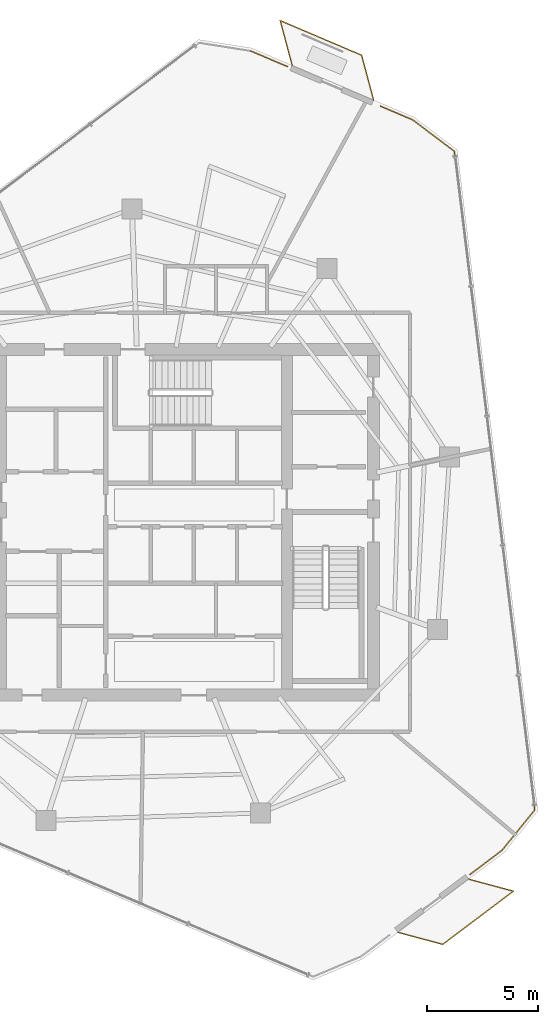
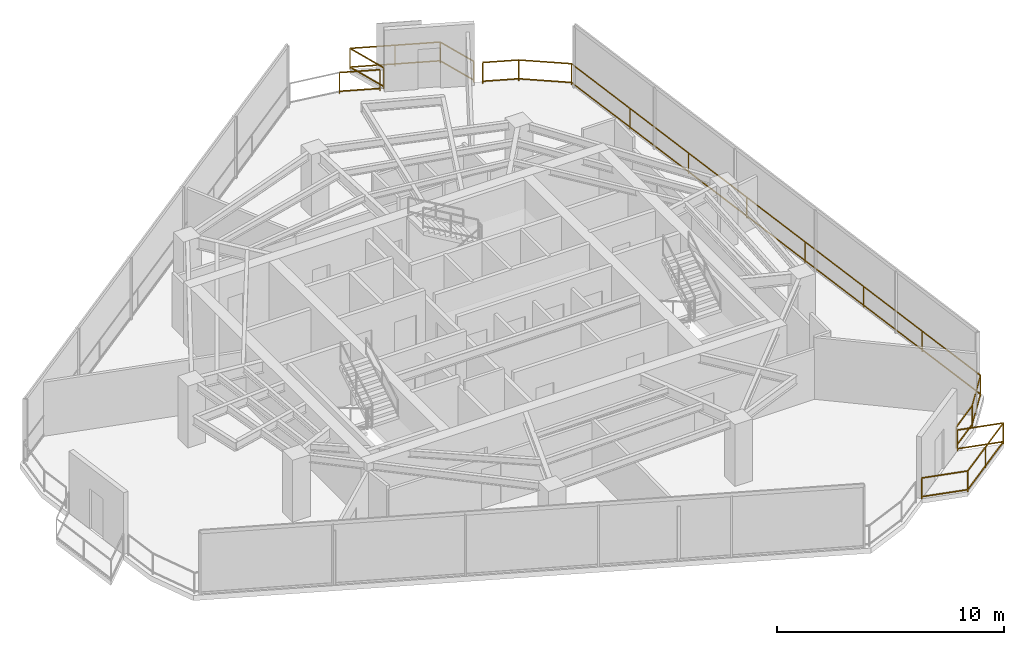
# One storey, part 18 of 18: 4 railings.
"""IFC4 building model written with IfcOpenShell, lengths in metres."""

import ifcopenshell
import ifcopenshell.guid

model = None  # the IFC model being written
_history = None  # IfcOwnerHistory: only IFC2X3 demands one
_inside = {}  # id of a spatial element -> (the spatial element, [elements in it])
_under = {}  # id of a project, library or spatial element -> (it, [spatial elements below it])
_declared = {}  # id of a project -> (the project, [libraries it declares])
_typed = {}  # id of a type object -> (the type object, [elements of that type])
_made_of = {}  # id of a material, layer set ... -> (it, [elements and type objects made of it])


def new_model(schema):
    """Start an empty IFC model of exactly this schema.

    Asked for "IFC4X3", IfcOpenShell would pick the latest addendum, in which some entities
    have other attributes; the version numbers below select the first issue.
    IFC2X3 requires an IfcOwnerHistory on every rooted entity: one is made here for all.
    """
    global model, _history
    if schema == "IFC4X3":
        model = ifcopenshell.file(schema_version=(4, 3, 0, 0))
    else:
        model = ifcopenshell.file(schema=schema)
    _inside.clear()
    _under.clear()
    _declared.clear()
    _typed.clear()
    _made_of.clear()
    _history = None
    if model.schema == "IFC2X3":
        org = make("IfcOrganization", Name="unknown")
        user = make(
            "IfcPersonAndOrganization",
            ThePerson=make("IfcPerson", FamilyName="unknown"),
            TheOrganization=org,
        )
        app = make(
            "IfcApplication",
            ApplicationDeveloper=org,
            Version="unknown",
            ApplicationFullName="unknown",
            ApplicationIdentifier="unknown",
        )
        _history = make(
            "IfcOwnerHistory",
            OwningUser=user,
            OwningApplication=app,
            ChangeAction="ADDED",
            CreationDate=0,
        )
    return model


def make(cls, **values):
    """One entity of the class cls with the attributes given. An attribute that is None is left unset."""
    return model.create_entity(
        cls, **{name: value for name, value in values.items() if value is not None}
    )


def rooted(cls, **values):
    """An entity with a GlobalId (a new one), such as an element, a storey or a relation."""
    return make(cls, GlobalId=ifcopenshell.guid.new(), OwnerHistory=_history, **values)


def si_unit(unit_type, name, prefix=None):
    """IfcSIUnit, for example si_unit("LENGTHUNIT", "METRE", prefix="MILLI")."""
    return make("IfcSIUnit", UnitType=unit_type, Prefix=prefix, Name=name)


def assignment(units):
    """IfcUnitAssignment: the units of a project."""
    return None if units is None else make("IfcUnitAssignment", Units=units)


def point(xyz):
    """IfcCartesianPoint."""
    return None if xyz is None else make("IfcCartesianPoint", Coordinates=xyz)


def direction(xyz):
    """IfcDirection."""
    return None if xyz is None else make("IfcDirection", DirectionRatios=xyz)


def frame(location, z_axis=None, x_axis=None):
    """IfcAxis2Placement3D, a coordinate frame: its origin and axes. An axis left out is left unset."""
    return make(
        "IfcAxis2Placement3D",
        Location=point(location),
        Axis=direction(z_axis),
        RefDirection=direction(x_axis),
    )


def frame_2d(location, x_axis=None):
    """IfcAxis2Placement2D, a coordinate frame in the plane: its origin and x axis."""
    return make(
        "IfcAxis2Placement2D", Location=point(location), RefDirection=direction(x_axis)
    )


def origin():
    """The frame at (0, 0, 0) with its axes left unset."""
    return frame((0.0, 0.0, 0.0))


def origin_2d():
    """The frame at (0, 0) in the plane with its x axis left unset."""
    return frame_2d((0.0, 0.0))


def place(relative_to, where):
    """IfcLocalPlacement: puts the frame where relative to a parent placement (None: the world)."""
    return make(
        "IfcLocalPlacement", PlacementRelTo=relative_to, RelativePlacement=where
    )


def context(
    kind, dimensions, precision=None, world=None, true_north=None, identifier=None
):
    """IfcGeometricRepresentationContext, for example the 3D "Model" context."""
    return make(
        "IfcGeometricRepresentationContext",
        ContextIdentifier=identifier,
        ContextType=kind,
        CoordinateSpaceDimension=dimensions,
        Precision=precision,
        WorldCoordinateSystem=world,
        TrueNorth=true_north,
    )


def subcontext(parent, identifier, kind, view, scale=None):
    """IfcGeometricRepresentationSubContext, for example "Body" below "Model"."""
    return make(
        "IfcGeometricRepresentationSubContext",
        ContextIdentifier=identifier,
        ContextType=kind,
        ParentContext=parent,
        TargetScale=scale,
        TargetView=view,
    )


def project(units=None, contexts=None):
    """IfcProject with its units and contexts."""
    return rooted(
        "IfcProject",
        Name="project",
        RepresentationContexts=contexts,
        UnitsInContext=assignment(units),
    )


def spatial(cls, under=None, at=None, **own):
    """A site, building, storey or space (cls), placed at a placement, below another one or the project."""
    s = rooted(cls, ObjectPlacement=at, **own)
    if under is not None:
        _under.setdefault(under.id(), (under, []))[1].append(s)
    return s


def profile(cls, at=None, kind="AREA", **sizes):
    """A parametric profile (cls). Its sizes go by their IFC names, for example OverallWidth=200.0."""
    return make(cls, ProfileType=kind, Position=at, **sizes)


def rectangle(**sizes):
    """IfcRectangleProfileDef."""
    return profile("IfcRectangleProfileDef", **sizes)


def extrude(swept, where, along, depth):
    """IfcExtrudedAreaSolid: the profile swept, set in the frame where, extruded along a direction by depth."""
    return make(
        "IfcExtrudedAreaSolid",
        SweptArea=swept,
        Position=where,
        ExtrudedDirection=direction(along),
        Depth=depth,
    )


def shape(context_of_items, identifier, shape_type, items):
    """IfcShapeRepresentation: the items that make up one representation, for example the "Body"."""
    return make(
        "IfcShapeRepresentation",
        ContextOfItems=context_of_items,
        RepresentationIdentifier=identifier,
        RepresentationType=shape_type,
        Items=items,
    )


def material(Name=None, Category=None):
    """IfcMaterial."""
    return make("IfcMaterial", Name=Name, Category=Category)


def made_of(thing, what):
    """Note that an element or type object is made of a material, layer set ...; save() writes the relation."""
    if what is not None:
        _made_of.setdefault(what.id(), (what, []))[1].append(thing)
    return thing


def type_object(cls, material=None, **own):
    """A type object (cls), such as IfcWallType, which elements share."""
    return made_of(rooted(cls, **own), material)


def element(
    cls,
    number,
    at=None,
    inside=None,
    cuts=None,
    type_object=None,
    material=None,
    context=None,
    identifier="Body",
    shape_type=None,
    held_by="IfcProductDefinitionShape",
    body=None,
    shapes=None,
    **own,
):
    """One element of the class cls, such as IfcWall. Its Tag is "e" and its number.

    at: its placement. inside: the storey or other place that contains it. cuts: it is an
    opening in that element (IfcRelVoidsElement). A single representation is given by context,
    identifier, shape_type and body (its items); several are given by shapes. held_by: the class
    of the entity that holds the representations. save() writes the other relations.
    """
    e = rooted(cls, Tag="e%d" % number, ObjectPlacement=at, **own)
    if body is not None:
        shapes = [shape(context, identifier, shape_type, body)]
    if shapes is not None:
        e.Representation = make(held_by, Representations=shapes)
    if inside is not None:
        _inside.setdefault(inside.id(), (inside, []))[1].append(e)
    if cuts is not None:
        rooted(
            "IfcRelVoidsElement", RelatingBuildingElement=cuts, RelatedOpeningElement=e
        )
    if type_object is not None:
        _typed.setdefault(type_object.id(), (type_object, []))[1].append(e)
    return made_of(e, material)


def aggregate(whole, parts):
    """IfcRelAggregates: a whole, such as a stair, and the parts it consists of."""
    return rooted("IfcRelAggregates", RelatingObject=whole, RelatedObjects=parts)


def save(model, path):
    """Write the relations noted so far, then the file.

    IfcRelAggregates (storeys below a building ...), IfcRelContainedInSpatialStructure (elements
    in a storey), IfcRelDefinesByType, IfcRelAssociatesMaterial and IfcRelDeclares: one each for
    every whole, place, type object, material and project.
    """
    for whole, parts in _under.values():
        aggregate(whole, parts)
    for where, things in _inside.values():
        rooted(
            "IfcRelContainedInSpatialStructure",
            RelatedElements=things,
            RelatingStructure=where,
        )
    for kind, things in _typed.values():
        rooted("IfcRelDefinesByType", RelatedObjects=things, RelatingType=kind)
    for what, things in _made_of.values():
        rooted("IfcRelAssociatesMaterial", RelatedObjects=things, RelatingMaterial=what)
    for by, libraries in _declared.values():
        rooted("IfcRelDeclares", RelatingContext=by, RelatedDefinitions=libraries)
    model.write(path)


model = new_model("IFC4")

# Units and contexts
model_context = context("Model", 3, precision=1e-05, world=origin(), true_north=direction((0.0, 1.0)))
body_context = subcontext(model_context, "Body", "Model", "MODEL_VIEW")
ifc_project = project(units=[si_unit("LENGTHUNIT", "METRE"), si_unit("AREAUNIT", "SQUARE_METRE"), si_unit("VOLUMEUNIT", "CUBIC_METRE"), si_unit("PLANEANGLEUNIT", "RADIAN"), si_unit("MASSUNIT", "GRAM", prefix="KILO")], contexts=[model_context])

# Site, building, storey
site_placement = place(None, origin())
site = spatial("IfcSite", under=ifc_project, at=site_placement, CompositionType="ELEMENT")
building_placement = place(site_placement, origin())
building = spatial("IfcBuilding", under=site, at=building_placement, Name="Qarnah Convention Tower", CompositionType="ELEMENT")
storey_placement = place(building_placement, frame((0.0, 0.0, 205.800048828125)))
storey = spatial("IfcBuildingStorey", under=building, at=storey_placement, Name="L55", CompositionType="ELEMENT", Elevation=205.800048828125)

# Railings
ifc_material = material(Name="Black anodised aluminium", Category="aluminium")
railing_type = type_object("IfcRailingType", Name="RL-EXT-GUARD-1150", PredefinedType="GUARDRAIL", material=ifc_material)
railing_1_placement = place(storey_placement, frame((42.06201171875, 47.66796875, 0.0)))
element("IfcRailing", 1, at=railing_1_placement, inside=storey, type_object=railing_type, Name="L55 slab-edge perimeter safety guard 01", PredefinedType="GUARDRAIL", context=body_context, shape_type="SweptSolid", body=[
    extrude(rectangle(XDim=0.048095703125, YDim=0.048095703125, at=origin_2d()), frame((0.0, 0.0, 1.1259765625), z_axis=(0.92024187042, -0.391350098921, 0.0), x_axis=(0.391350098921, 0.92024187042, 0.0)), (0.0, 0.0, 1.0), 1.8017578125),
    extrude(rectangle(XDim=0.048095703125, YDim=0.048095703125, at=origin_2d()), frame((0.0, 0.0, 0.1201171875), z_axis=(0.92024187042, -0.391350098921, 0.0), x_axis=(0.391350098921, 0.92024187042, 0.0)), (0.0, 0.0, 1.0), 1.8017578125),
    extrude(rectangle(XDim=0.0419921875, YDim=0.0419921875, at=origin_2d()), origin(), (0.0, 0.0, 1.0), 1.101806640625),
    extrude(rectangle(XDim=0.0419921875, YDim=0.0419921875, at=origin_2d()), frame((1.657958984375, -0.705078125, 0.0)), (0.0, 0.0, 1.0), 1.101806640625),
])
railing_2_placement = place(storey_placement, frame((47.9150390625, 45.178955078125, 0.0)))
element("IfcRailing", 2, at=railing_2_placement, inside=storey, type_object=railing_type, Name="L55 slab-edge perimeter safety guard 02", PredefinedType="GUARDRAIL", context=body_context, shape_type="SweptSolid", body=[
    extrude(rectangle(XDim=0.048095703125, YDim=0.048095703125, at=origin_2d()), frame((0.0, 0.0, 1.1259765625), z_axis=(0.920126400497, -0.391621510018, 0.0), x_axis=(0.391621510018, 0.920126400497, 0.0)), (0.0, 0.0, 1.0), 1.5908203125),
    extrude(rectangle(XDim=0.048095703125, YDim=0.048095703125, at=origin_2d()), frame((0.0, 0.0, 0.1201171875), z_axis=(0.920126400497, -0.391621510018, 0.0), x_axis=(0.391621510018, 0.920126400497, 0.0)), (0.0, 0.0, 1.0), 1.5908203125),
    extrude(rectangle(XDim=0.048095703125, YDim=0.048095703125, at=origin_2d()), frame((1.4638671875, -0.623046875, 1.1259765625), z_axis=(0.798099529622, -0.602525634987, 0.0), x_axis=(0.602525634987, 0.798099529622, 0.0)), (0.0, 0.0, 1.0), 2.34814453125),
    extrude(rectangle(XDim=0.048095703125, YDim=0.048095703125, at=origin_2d()), frame((1.4638671875, -0.623046875, 0.1201171875), z_axis=(0.798099529622, -0.602525634987, 0.0), x_axis=(0.602525634987, 0.798099529622, 0.0)), (0.0, 0.0, 1.0), 2.34814453125),
    extrude(rectangle(XDim=0.048095703125, YDim=0.048095703125, at=origin_2d()), frame((3.337890625, -2.037841796875, 1.1259765625), z_axis=(0.121214832232, -0.992626296472, 0.0), x_axis=(0.992626296472, 0.121214832232, 0.0)), (0.0, 0.0, 1.0), 29.947998046875),
    extrude(rectangle(XDim=0.048095703125, YDim=0.048095703125, at=origin_2d()), frame((3.337890625, -2.037841796875, 0.1201171875), z_axis=(0.121214832232, -0.992626296472, 0.0), x_axis=(0.992626296472, 0.121214832232, 0.0)), (0.0, 0.0, 1.0), 29.947998046875),
    extrude(rectangle(XDim=0.048095703125, YDim=0.048095703125, at=origin_2d()), frame((6.968017578125, -31.764892578125, 1.1259765625), z_axis=(-0.630032573441, -0.776568706815, 0.0), x_axis=(0.776568706815, -0.630032573441, 0.0)), (0.0, 0.0, 1.0), 2.347412109375),
    extrude(rectangle(XDim=0.048095703125, YDim=0.048095703125, at=origin_2d()), frame((6.968017578125, -31.764892578125, 0.1201171875), z_axis=(-0.630032573441, -0.776568706815, 0.0), x_axis=(0.776568706815, -0.630032573441, 0.0)), (0.0, 0.0, 1.0), 2.347412109375),
    extrude(rectangle(XDim=0.048095703125, YDim=0.048095703125, at=origin_2d()), frame((5.489013671875, -33.587890625, 1.1259765625), z_axis=(-0.798910552808, -0.601449855443, 0.0), x_axis=(0.601449855443, -0.798910552808, 0.0)), (0.0, 0.0, 1.0), 1.803955078125),
    extrude(rectangle(XDim=0.048095703125, YDim=0.048095703125, at=origin_2d()), frame((5.489013671875, -33.587890625, 0.1201171875), z_axis=(-0.798910552808, -0.601449855443, 0.0), x_axis=(0.601449855443, -0.798910552808, 0.0)), (0.0, 0.0, 1.0), 1.803955078125),
    extrude(rectangle(XDim=0.0419921875, YDim=0.0419921875, at=origin_2d()), origin(), (0.0, 0.0, 1.0), 1.101806640625),
    extrude(rectangle(XDim=0.0419921875, YDim=0.0419921875, at=origin_2d()), frame((1.4638671875, -0.623046875, 0.0)), (0.0, 0.0, 1.0), 1.101806640625),
    extrude(rectangle(XDim=0.0419921875, YDim=0.0419921875, at=origin_2d()), frame((3.337890625, -2.037841796875, 0.0)), (0.0, 0.0, 1.0), 1.101806640625),
    extrude(rectangle(XDim=0.0419921875, YDim=0.0419921875, at=origin_2d()), frame((3.8564453125, -6.28466796875, 0.0)), (0.0, 0.0, 1.0), 1.101806640625),
    extrude(rectangle(XDim=0.0419921875, YDim=0.0419921875, at=origin_2d()), frame((4.375, -10.53125, 0.0)), (0.0, 0.0, 1.0), 1.101806640625),
    extrude(rectangle(XDim=0.0419921875, YDim=0.0419921875, at=origin_2d()), frame((4.8935546875, -14.778076171875, 0.0)), (0.0, 0.0, 1.0), 1.101806640625),
    extrude(rectangle(XDim=0.0419921875, YDim=0.0419921875, at=origin_2d()), frame((5.412353515625, -19.024658203125, 0.0)), (0.0, 0.0, 1.0), 1.101806640625),
    extrude(rectangle(XDim=0.0419921875, YDim=0.0419921875, at=origin_2d()), frame((5.930908203125, -23.271484375, 0.0)), (0.0, 0.0, 1.0), 1.101806640625),
    extrude(rectangle(XDim=0.0419921875, YDim=0.0419921875, at=origin_2d()), frame((6.449462890625, -27.51806640625, 0.0)), (0.0, 0.0, 1.0), 1.101806640625),
    extrude(rectangle(XDim=0.0419921875, YDim=0.0419921875, at=origin_2d()), frame((6.968017578125, -31.764892578125, 0.0)), (0.0, 0.0, 1.0), 1.101806640625),
    extrude(rectangle(XDim=0.0419921875, YDim=0.0419921875, at=origin_2d()), frame((5.489013671875, -33.587890625, 0.0)), (0.0, 0.0, 1.0), 1.101806640625),
    extrude(rectangle(XDim=0.0419921875, YDim=0.0419921875, at=origin_2d()), frame((4.0478515625, -34.6728515625, 0.0)), (0.0, 0.0, 1.0), 1.101806640625),
])
railing_3_placement = place(storey_placement, frame((43.93310546875, 47.01904296875, 0.0)))
element("IfcRailing", 3, at=railing_3_placement, inside=storey, type_object=railing_type, Name="L55 balcony safety guard BAL-L55-C1", PredefinedType="GUARDRAIL", context=body_context, shape_type="SweptSolid", body=[
    extrude(rectangle(XDim=0.048095703125, YDim=0.048095703125, at=origin_2d()), frame((0.0, 0.0, 1.1259765625), z_axis=(-0.258359209532, 0.966048921561, 0.0), x_axis=(-0.966048921561, -0.258359209532, 0.0)), (0.0, 0.0, 1.0), 2.093994140625),
    extrude(rectangle(XDim=0.048095703125, YDim=0.048095703125, at=origin_2d()), frame((0.0, 0.0, 0.1201171875), z_axis=(-0.258359209532, 0.966048921561, 0.0), x_axis=(-0.966048921561, -0.258359209532, 0.0)), (0.0, 0.0, 1.0), 2.093994140625),
    extrude(rectangle(XDim=0.048095703125, YDim=0.048095703125, at=origin_2d()), frame((-0.541015625, 2.02294921875, 1.1259765625), z_axis=(0.920192996084, -0.391465004768, 0.0), x_axis=(0.391465004768, 0.920192996084, 0.0)), (0.0, 0.0, 1.0), 4.000244140625),
    extrude(rectangle(XDim=0.048095703125, YDim=0.048095703125, at=origin_2d()), frame((-0.541015625, 2.02294921875, 0.1201171875), z_axis=(0.920192996084, -0.391465004768, 0.0), x_axis=(0.391465004768, 0.920192996084, 0.0)), (0.0, 0.0, 1.0), 4.000244140625),
    extrude(rectangle(XDim=0.048095703125, YDim=0.048095703125, at=origin_2d()), frame((3.139892578125, 0.45703125, 1.1259765625), z_axis=(0.258330113746, -0.966056702442, 0.0), x_axis=(0.966056702442, 0.258330113746, 0.0)), (0.0, 0.0, 1.0), 2.09423828125),
    extrude(rectangle(XDim=0.048095703125, YDim=0.048095703125, at=origin_2d()), frame((3.139892578125, 0.45703125, 0.1201171875), z_axis=(0.258330113746, -0.966056702442, 0.0), x_axis=(0.966056702442, 0.258330113746, 0.0)), (0.0, 0.0, 1.0), 2.09423828125),
    extrude(rectangle(XDim=0.0419921875, YDim=0.0419921875, at=origin_2d()), origin(), (0.0, 0.0, 1.0), 1.101806640625),
    extrude(rectangle(XDim=0.0419921875, YDim=0.0419921875, at=origin_2d()), frame((-0.541015625, 2.02294921875, 0.0)), (0.0, 0.0, 1.0), 1.101806640625),
    extrude(rectangle(XDim=0.0419921875, YDim=0.0419921875, at=origin_2d()), frame((1.29931640625, 1.239990234375, 0.0)), (0.0, 0.0, 1.0), 1.101806640625),
    extrude(rectangle(XDim=0.0419921875, YDim=0.0419921875, at=origin_2d()), frame((3.139892578125, 0.45703125, 0.0)), (0.0, 0.0, 1.0), 1.101806640625),
    extrude(rectangle(XDim=0.0419921875, YDim=0.0419921875, at=origin_2d()), frame((3.680908203125, -1.566162109375, 0.0)), (0.0, 0.0, 1.0), 1.101806640625),
])
railing_4_placement = place(storey_placement, frame((51.906005859375, 10.2939453125, 0.0)))
element("IfcRailing", 4, at=railing_4_placement, inside=storey, type_object=railing_type, Name="L55 balcony safety guard BAL-L55-C3", PredefinedType="GUARDRAIL", context=body_context, shape_type="SweptSolid", body=[
    extrude(rectangle(XDim=0.048095703125, YDim=0.048095703125, at=origin_2d()), frame((0.0, 0.0, 1.1259765625), z_axis=(0.965784441785, -0.259346123947, 0.0), x_axis=(0.259346123947, 0.965784441785, 0.0)), (0.0, 0.0, 1.0), 2.093505859375),
    extrude(rectangle(XDim=0.048095703125, YDim=0.048095703125, at=origin_2d()), frame((0.0, 0.0, 0.1201171875), z_axis=(0.965784441785, -0.259346123947, 0.0), x_axis=(0.259346123947, 0.965784441785, 0.0)), (0.0, 0.0, 1.0), 2.093505859375),
    extrude(rectangle(XDim=0.048095703125, YDim=0.048095703125, at=origin_2d()), frame((2.02197265625, -0.54296875, 1.1259765625), z_axis=(-0.799039470484, -0.601278574879, 0.0), x_axis=(0.601278574879, -0.799039470484, 0.0)), (0.0, 0.0, 1.0), 3.999755859375),
    extrude(rectangle(XDim=0.048095703125, YDim=0.048095703125, at=origin_2d()), frame((2.02197265625, -0.54296875, 0.1201171875), z_axis=(-0.799039470484, -0.601278574879, 0.0), x_axis=(0.601278574879, -0.799039470484, 0.0)), (0.0, 0.0, 1.0), 3.999755859375),
    extrude(rectangle(XDim=0.048095703125, YDim=0.048095703125, at=origin_2d()), frame((-1.174072265625, -2.947998046875, 1.1259765625), z_axis=(-0.965784441785, 0.259346123947, 0.0), x_axis=(-0.259346123947, -0.965784441785, 0.0)), (0.0, 0.0, 1.0), 2.093505859375),
    extrude(rectangle(XDim=0.048095703125, YDim=0.048095703125, at=origin_2d()), frame((-1.174072265625, -2.947998046875, 0.1201171875), z_axis=(-0.965784441785, 0.259346123947, 0.0), x_axis=(-0.259346123947, -0.965784441785, 0.0)), (0.0, 0.0, 1.0), 2.093505859375),
    extrude(rectangle(XDim=0.0419921875, YDim=0.0419921875, at=origin_2d()), origin(), (0.0, 0.0, 1.0), 1.101806640625),
    extrude(rectangle(XDim=0.0419921875, YDim=0.0419921875, at=origin_2d()), frame((2.02197265625, -0.54296875, 0.0)), (0.0, 0.0, 1.0), 1.101806640625),
    extrude(rectangle(XDim=0.0419921875, YDim=0.0419921875, at=origin_2d()), frame((0.423828125, -1.74560546875, 0.0)), (0.0, 0.0, 1.0), 1.101806640625),
    extrude(rectangle(XDim=0.0419921875, YDim=0.0419921875, at=origin_2d()), frame((-1.174072265625, -2.947998046875, 0.0)), (0.0, 0.0, 1.0), 1.101806640625),
    extrude(rectangle(XDim=0.0419921875, YDim=0.0419921875, at=origin_2d()), frame((-3.196044921875, -2.405029296875, 0.0)), (0.0, 0.0, 1.0), 1.101806640625),
])

save(model, "model.ifc")
